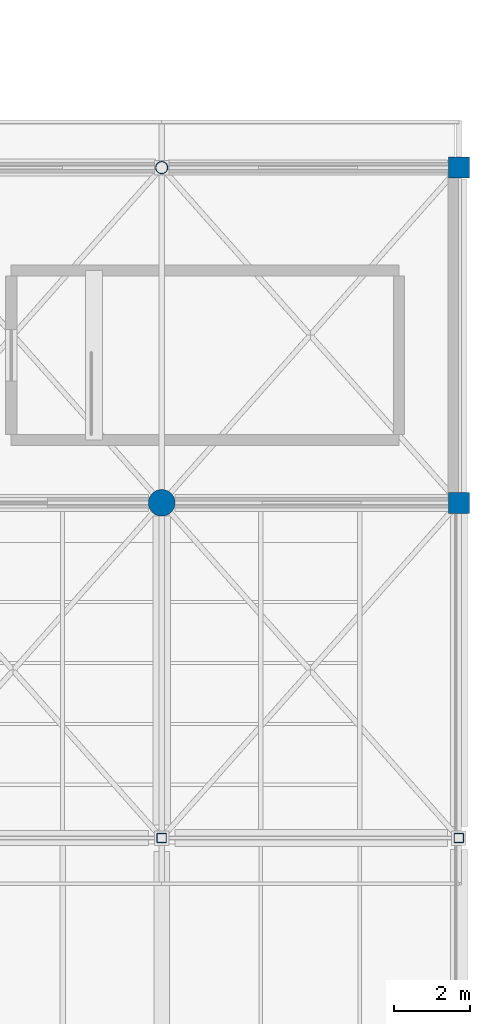
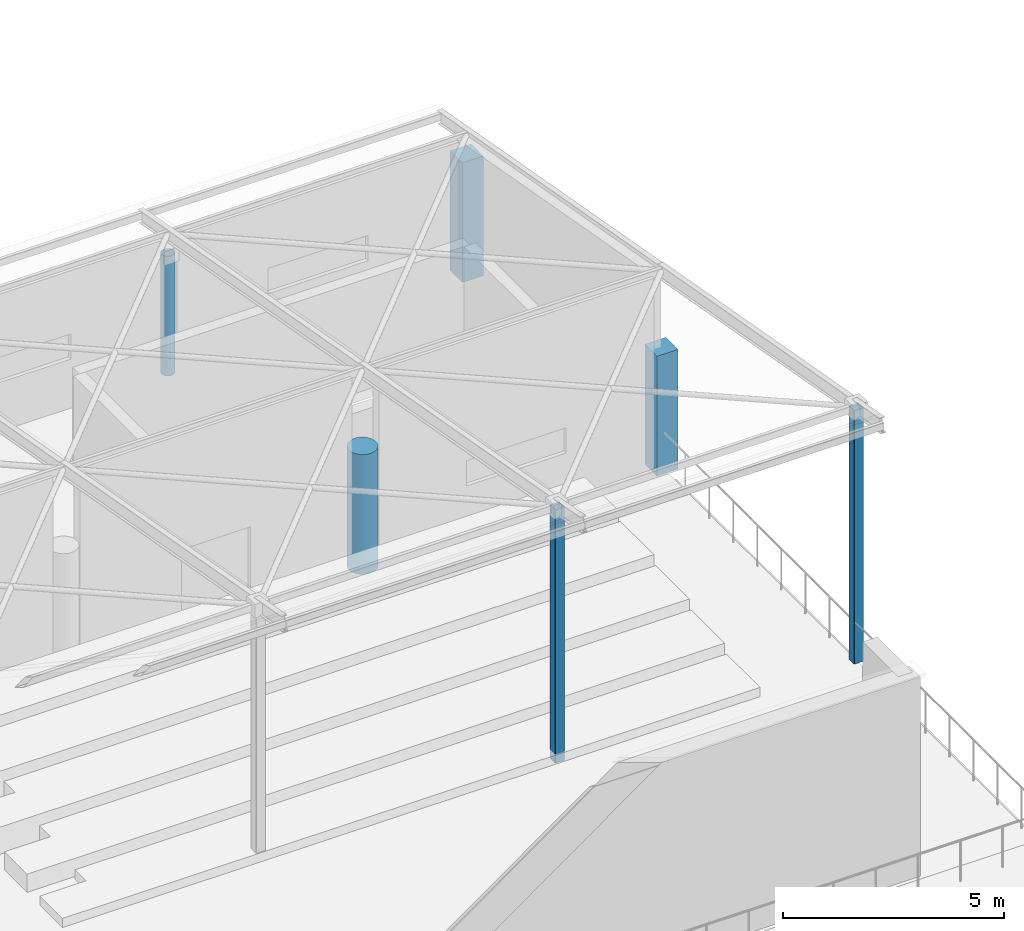
# One storey, part 4 of 34: 6 columns.
"""IFC4 building model written with IfcOpenShell, lengths in metres."""

from ifc_helpers import new_model, si_unit, direction, frame, origin, origin_2d, place, context, subcontext, project, spatial, rectangle, hollow_rectangle, circle, hollow_circle, extrude, material, material_profile, profile_set, type_object, element, save


model = new_model("IFC4")

# Units and contexts
model_context = context("Model", 3, precision=1e-05, world=origin(), true_north=direction((0.0, 1.0)))
body_context = subcontext(model_context, "Body", "Model", "MODEL_VIEW")
ifc_project = project(units=[si_unit("LENGTHUNIT", "METRE"), si_unit("AREAUNIT", "SQUARE_METRE"), si_unit("VOLUMEUNIT", "CUBIC_METRE"), si_unit("PLANEANGLEUNIT", "RADIAN"), si_unit("MASSUNIT", "GRAM", prefix="KILO")], contexts=[model_context])

# Site, building, storey
site_placement = place(None, origin())
site = spatial("IfcSite", under=ifc_project, at=site_placement, CompositionType="ELEMENT")
building_placement = place(site_placement, origin())
building = spatial("IfcBuilding", under=site, at=building_placement, Name="Varnakota Cinema and Media Centre", CompositionType="ELEMENT")
storey_placement = place(building_placement, frame((0.0, 0.0, 19.050048828125)))
storey = spatial("IfcBuildingStorey", under=building, at=storey_placement, Name="L05", CompositionType="ELEMENT", Elevation=19.050048828125)

# Columns
ifc_material_1 = material(Name="Concrete M40", Category="concrete")
ifc_material_profile_1 = material_profile(ifc_material_1, rectangle(XDim=0.550048828125, YDim=0.550048828125, at=origin_2d()), Name="RC 550x550")
ifc_profile_set_1 = profile_set([ifc_material_profile_1], Name="Concrete M40")
column_type_1 = type_object("IfcColumnType", Name="COL-RC-550x550", PredefinedType="COLUMN", material=ifc_profile_set_1)
for number, where, z_axis, x_axis, name in (
    (1, (75.0, 17.60009765625, 0.0), (0.0, 0.0, 1.0), (1.0, 0.0, 0.0), "L05 column K/3"),
    (2, (75.0, 26.39990234375, 0.0), (0.0, 0.0, 1.0), (1.0, 0.0, 0.0), "L05 column K/4"),
):
    element("IfcColumn", number, at=place(storey_placement, frame(where, z_axis=z_axis, x_axis=x_axis)), inside=storey, type_object=column_type_1, Name=name, PredefinedType="COLUMN", context=body_context, shape_type="SweptSolid", body=[
        extrude(rectangle(XDim=0.550048828125, YDim=0.550048828125, at=origin_2d()), origin(), (0.0, 0.0, 1.0), 3.300048828125),
    ])
ifc_material_2 = material(Name="Concrete M40", Category="concrete")
ifc_material_profile_2 = material_profile(ifc_material_2, circle(Radius=0.35009765625, at=origin_2d()), Name="RC D700")
ifc_profile_set_2 = profile_set([ifc_material_profile_2], Name="Concrete M40")
column_type_2 = type_object("IfcColumnType", Name="COL-RC-D700", PredefinedType="COLUMN", material=ifc_profile_set_2)
column_1_placement = place(storey_placement, frame((67.199951171875, 17.60009765625, 0.0), z_axis=(0.0, 0.0, 1.0), x_axis=(1.0, 0.0, 0.0)))
element("IfcColumn", 3, at=column_1_placement, inside=storey, type_object=column_type_2, Name="L05 column J/3", PredefinedType="COLUMN", context=body_context, shape_type="SweptSolid", body=[
    extrude(circle(Radius=0.35009765625, at=origin_2d()), origin(), (0.0, 0.0, 1.0), 3.300048828125),
])
ifc_material_3 = material(Name="Structural steel S355 (YSt 355)", Category="steel")
ifc_material_profile_3 = material_profile(ifc_material_3, hollow_circle(Radius=0.161865234375, WallThickness=0.010009765625, at=origin_2d()), Name="CHS 323.9x10.0")
ifc_profile_set_3 = profile_set([ifc_material_profile_3], Name="Structural steel S355 (YSt 355)")
column_type_3 = type_object("IfcColumnType", Name="COL-ST-CHS324", PredefinedType="COLUMN", material=ifc_profile_set_3)
column_2_placement = place(storey_placement, frame((67.199951171875, 26.39990234375, 0.0), z_axis=(0.0, 0.0, 1.0), x_axis=(1.0, 0.0, 0.0)))
element("IfcColumn", 4, at=column_2_placement, inside=storey, type_object=column_type_3, Name="L05 column J/4", PredefinedType="COLUMN", context=body_context, shape_type="SweptSolid", body=[
    extrude(hollow_circle(Radius=0.161865234375, WallThickness=0.010009765625, at=origin_2d()), origin(), (0.0, 0.0, 1.0), 3.300048828125),
])
ifc_material_4 = material(Name="Structural steel S355 (YSt 355)", Category="steel")
ifc_material_profile_4 = material_profile(ifc_material_4, hollow_rectangle(XDim=0.25, YDim=0.25, WallThickness=0.010009765625, InnerFilletRadius=0.010009765625, OuterFilletRadius=0.02001953125, at=origin_2d()), Name="SHS 250x250x10")
ifc_profile_set_4 = profile_set([ifc_material_profile_4], Name="Structural steel S355 (YSt 355)")
column_type_4 = type_object("IfcColumnType", Name="COL-ST-SHS250", PredefinedType="COLUMN", material=ifc_profile_set_4)
for number, where, z_axis, x_axis, name in (
    (5, (67.199951171875, 8.800048828125, 0.0), (0.0, 0.0, 1.0), (1.0, 0.0, 0.0), "V3 amphitheatre canopy column 3 Y=8.8"),
    (6, (75.0, 8.800048828125, 0.0), (0.0, 0.0, 1.0), (1.0, 0.0, 0.0), "V3 amphitheatre canopy column 4 Y=8.8"),
):
    element("IfcColumn", number, at=place(storey_placement, frame(where, z_axis=z_axis, x_axis=x_axis)), inside=storey, type_object=column_type_4, Name=name, PredefinedType="COLUMN", context=body_context, shape_type="SweptSolid", body=[
        extrude(hollow_rectangle(XDim=0.25, YDim=0.25, WallThickness=0.010009765625, InnerFilletRadius=0.010009765625, OuterFilletRadius=0.02001953125, at=origin_2d()), origin(), (0.0, 0.0, 1.0), 6.98388671875),
    ])

save(model, "model.ifc")
